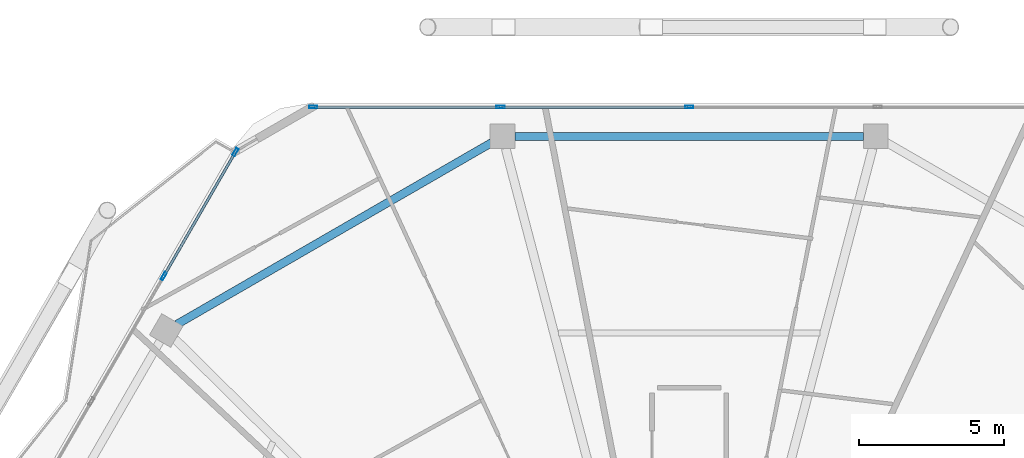
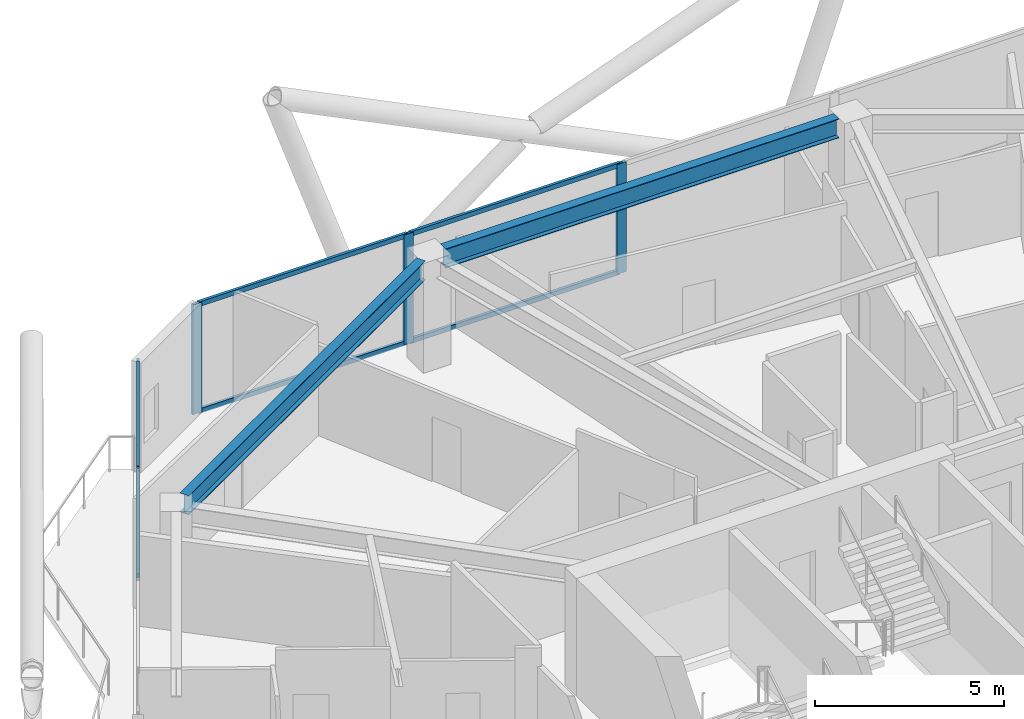
# One storey, part 15 of 29: 11 members, 2 beams, 2 elements without a shape of their own.
"""IFC4 building model written with IfcOpenShell, lengths in metres."""

from ifc_helpers import new_model, si_unit, direction, frame, origin, origin_2d, place, context, subcontext, project, spatial, hollow_rectangle, i_section, extrude, material, material_profile, profile_set, type_object, element, aggregate, save


model = new_model("IFC4")

# Units and contexts
model_context = context("Model", 3, precision=1e-05, world=origin(), true_north=direction((0.0, 1.0)))
body_context = subcontext(model_context, "Body", "Model", "MODEL_VIEW")
ifc_project = project(units=[si_unit("LENGTHUNIT", "METRE"), si_unit("AREAUNIT", "SQUARE_METRE"), si_unit("VOLUMEUNIT", "CUBIC_METRE"), si_unit("PLANEANGLEUNIT", "RADIAN"), si_unit("MASSUNIT", "GRAM", prefix="KILO")], contexts=[model_context])

# Site, building, storey
site_placement = place(None, origin())
site = spatial("IfcSite", under=ifc_project, at=site_placement, CompositionType="ELEMENT")
building_placement = place(site_placement, origin())
building = spatial("IfcBuilding", under=site, at=building_placement, Name="Zuhravey Tower", CompositionType="ELEMENT")
storey_placement = place(building_placement, frame((0.0, 0.0, 269.199951171875)))
storey = spatial("IfcBuildingStorey", under=building, at=storey_placement, Name="L68", CompositionType="ELEMENT", Elevation=269.199951171875)

# Curtain wall, members
ifc_material_1 = material(Name="Thermally broken anodised aluminium", Category="aluminium")
curtain_wall_type = type_object("IfcCurtainWallType", Name="Zone 3-4 High-Rise Curtain Wall CW4", PredefinedType="NOTDEFINED", material=ifc_material_1)
curtain_wall_1_placement = place(storey_placement, origin())
curtain_wall_1 = element("IfcCurtainWall", 1, at=curtain_wall_1_placement, inside=storey, type_object=curtain_wall_type, Name="L68 CW4 CW-L68-F3-2", PredefinedType="NOTDEFINED")
ifc_material_2 = material(Name="Anodised aluminium", Category="aluminium")
ifc_material_profile_1 = material_profile(ifc_material_2, hollow_rectangle(XDim=0.090087890625, YDim=0.284912109375, WallThickness=0.0048828125, at=origin_2d()), Name="ALU-RHS-90x285x5")
ifc_profile_set_1 = profile_set([ifc_material_profile_1], Name="Anodised aluminium")
member_type_1 = type_object("IfcMemberType", Name="Curtain-Wall Mullion 90x180", PredefinedType="MULLION", material=ifc_profile_set_1)
member_1_placement = place(storey_placement, frame((17.8720703125, 51.728515625, 0.0), z_axis=(0.0, 0.0, 1.0), x_axis=(-0.866025550855, 0.499999745267, 0.0)))
member_1 = element("IfcMember", 2, at=member_1_placement, type_object=member_type_1, Name="CW4 mullion 3", PredefinedType="MULLION", context=body_context, shape_type="SweptSolid", body=[
    extrude(hollow_rectangle(XDim=0.090087890625, YDim=0.284912109375, WallThickness=0.0048828125, at=origin_2d()), origin(), (0.0, 0.0, 1.0), 3.550048828125),
])
member_2_placement = place(storey_placement, frame((20.34521484375, 56.01220703125, 0.0), z_axis=(0.0, 0.0, 1.0), x_axis=(-0.866025550855, 0.499999745267, 0.0)))
member_2 = element("IfcMember", 3, at=member_2_placement, type_object=member_type_1, Name="CW4 mullion 4", PredefinedType="MULLION", context=body_context, shape_type="SweptSolid", body=[
    extrude(hollow_rectangle(XDim=0.090087890625, YDim=0.284912109375, WallThickness=0.0048828125, at=origin_2d()), origin(), (0.0, 0.0, 1.0), 3.550048828125),
])

curtain_wall_2_placement = place(storey_placement, origin())
curtain_wall_2 = element("IfcCurtainWall", 4, at=curtain_wall_2_placement, inside=storey, type_object=curtain_wall_type, Name="L68 CW4 CW-L68-F2-1", PredefinedType="NOTDEFINED")
member_3_placement = place(storey_placement, frame((23.0322265625, 57.563720703125, 0.0), z_axis=(0.0, 0.0, 1.0), x_axis=(0.0, 1.0, 0.0)))
member_3 = element("IfcMember", 5, at=member_3_placement, type_object=member_type_1, Name="CW4 mullion 1", PredefinedType="MULLION", context=body_context, shape_type="SweptSolid", body=[
    extrude(hollow_rectangle(XDim=0.090087890625, YDim=0.284912109375, WallThickness=0.0048828125, at=origin_2d()), origin(), (0.0, 0.0, 1.0), 3.550048828125),
])
member_4_placement = place(storey_placement, frame((29.49365234375, 57.563720703125, 0.0), z_axis=(0.0, 0.0, 1.0), x_axis=(0.0, 1.0, 0.0)))
member_4 = element("IfcMember", 6, at=member_4_placement, type_object=member_type_1, Name="CW4 mullion 2", PredefinedType="MULLION", context=body_context, shape_type="SweptSolid", body=[
    extrude(hollow_rectangle(XDim=0.090087890625, YDim=0.284912109375, WallThickness=0.0048828125, at=origin_2d()), origin(), (0.0, 0.0, 1.0), 3.550048828125),
])
member_5_placement = place(storey_placement, frame((36.0, 57.563720703125, 0.0), z_axis=(0.0, 0.0, 1.0), x_axis=(0.0, 1.0, 0.0)))
member_5 = element("IfcMember", 7, at=member_5_placement, type_object=member_type_1, Name="CW4 mullion 3", PredefinedType="MULLION", context=body_context, shape_type="SweptSolid", body=[
    extrude(hollow_rectangle(XDim=0.090087890625, YDim=0.284912109375, WallThickness=0.0048828125, at=origin_2d()), origin(), (0.0, 0.0, 1.0), 3.550048828125),
])

# Member
ifc_material_profile_2 = material_profile(ifc_material_2, hollow_rectangle(XDim=0.090087890625, YDim=0.14990234375, WallThickness=0.0048828125, at=origin_2d()), Name="ALU-RHS-90x150x5")
ifc_profile_set_2 = profile_set([ifc_material_profile_2], Name="Anodised aluminium")
member_type_2 = type_object("IfcMemberType", Name="Curtain-Wall Transom 90x150", PredefinedType="USERDEFINED", material=ifc_profile_set_2)
member_6_placement = place(storey_placement, frame((17.89453125, 51.767578125, 0.045166015625), z_axis=(0.499983569942, 0.866034889475, 0.0), x_axis=(-0.866034889475, 0.499983569942, 0.0)))
member_6 = element("IfcMember", 8, at=member_6_placement, type_object=member_type_2, Name="CW4 transom 3.1", ObjectType="TRANSOM", PredefinedType="USERDEFINED", context=body_context, shape_type="SweptSolid", body=[
    extrude(hollow_rectangle(XDim=0.090087890625, YDim=0.14990234375, WallThickness=0.0048828125, at=origin_2d()), origin(), (0.0, 0.0, 1.0), 4.856201171875),
])

member_7_placement = place(storey_placement, frame((17.89453125, 51.767578125, 3.505126953125), z_axis=(0.499983569942, 0.866034889475, 0.0), x_axis=(-0.866034889475, 0.499983569942, 0.0)))
member_7 = element("IfcMember", 9, at=member_7_placement, type_object=member_type_2, Name="CW4 transom 3.2", ObjectType="TRANSOM", PredefinedType="USERDEFINED", context=body_context, shape_type="SweptSolid", body=[
    extrude(hollow_rectangle(XDim=0.090087890625, YDim=0.14990234375, WallThickness=0.0048828125, at=origin_2d()), origin(), (0.0, 0.0, 1.0), 4.856201171875),
])

aggregate(curtain_wall_1, [member_1, member_2, member_6, member_7])

member_8_placement = place(storey_placement, frame((23.077392578125, 57.563720703125, 0.045166015625), z_axis=(1.0, 0.0, 0.0), x_axis=(0.0, 1.0, 0.0)))
member_8 = element("IfcMember", 10, at=member_8_placement, type_object=member_type_2, Name="CW4 transom 1.1", ObjectType="TRANSOM", PredefinedType="USERDEFINED", context=body_context, shape_type="SweptSolid", body=[
    extrude(hollow_rectangle(XDim=0.090087890625, YDim=0.14990234375, WallThickness=0.0048828125, at=origin_2d()), origin(), (0.0, 0.0, 1.0), 6.371337890625),
])

member_9_placement = place(storey_placement, frame((23.077392578125, 57.563720703125, 3.505126953125), z_axis=(1.0, 0.0, 0.0), x_axis=(0.0, 1.0, 0.0)))
member_9 = element("IfcMember", 11, at=member_9_placement, type_object=member_type_2, Name="CW4 transom 1.2", ObjectType="TRANSOM", PredefinedType="USERDEFINED", context=body_context, shape_type="SweptSolid", body=[
    extrude(hollow_rectangle(XDim=0.090087890625, YDim=0.14990234375, WallThickness=0.0048828125, at=origin_2d()), origin(), (0.0, 0.0, 1.0), 6.371337890625),
])

member_10_placement = place(storey_placement, frame((29.53857421875, 57.563720703125, 0.045166015625), z_axis=(1.0, 0.0, 0.0), x_axis=(0.0, 1.0, 0.0)))
member_10 = element("IfcMember", 12, at=member_10_placement, type_object=member_type_2, Name="CW4 transom 2.1", ObjectType="TRANSOM", PredefinedType="USERDEFINED", context=body_context, shape_type="SweptSolid", body=[
    extrude(hollow_rectangle(XDim=0.090087890625, YDim=0.14990234375, WallThickness=0.0048828125, at=origin_2d()), origin(), (0.0, 0.0, 1.0), 6.41650390625),
])

member_11_placement = place(storey_placement, frame((29.53857421875, 57.563720703125, 3.505126953125), z_axis=(1.0, 0.0, 0.0), x_axis=(0.0, 1.0, 0.0)))
member_11 = element("IfcMember", 13, at=member_11_placement, type_object=member_type_2, Name="CW4 transom 2.2", ObjectType="TRANSOM", PredefinedType="USERDEFINED", context=body_context, shape_type="SweptSolid", body=[
    extrude(hollow_rectangle(XDim=0.090087890625, YDim=0.14990234375, WallThickness=0.0048828125, at=origin_2d()), origin(), (0.0, 0.0, 1.0), 6.41650390625),
])

aggregate(curtain_wall_2, [member_3, member_4, member_5, member_8, member_9, member_10, member_11])

# Beams
ifc_material_3 = material(Name="Steel SM355", Category="steel")
ifc_material_profile_3 = material_profile(ifc_material_3, i_section(OverallWidth=0.280029296875, OverallDepth=0.6201171875, WebThickness=0.011962890625, FlangeThickness=0.02001953125, at=origin_2d()), Name="H-620x280x12x20")
ifc_profile_set_3 = profile_set([ifc_material_profile_3], Name="Steel SM355")
beam_type = type_object("IfcBeamType", Name="Perimeter Ring Beam H620x280", PredefinedType="BEAM", material=ifc_profile_set_3)
beam_1_placement = place(storey_placement, frame((42.012939453125, 56.5537109375, 3.239990234375), z_axis=(-1.0, 0.0, 0.0), x_axis=(0.0, -1.0, 0.0)))
element("IfcBeam", 14, at=beam_1_placement, inside=storey, type_object=beam_type, Name="L68 PB3 BM-L68-PB-03", PredefinedType="BEAM", context=body_context, shape_type="SweptSolid", body=[
    extrude(i_section(OverallWidth=0.280029296875, OverallDepth=0.6201171875, WebThickness=0.011962890625, FlangeThickness=0.02001953125, at=origin_2d()), origin(), (0.0, 0.0, 1.0), 12.02587890625),
])
beam_2_placement = place(storey_placement, frame((29.1884765625, 56.339599609375, 3.239990234375), z_axis=(-0.866018312875, -0.500012281615, 0.0), x_axis=(0.500012281615, -0.866018312875, 0.0)))
element("IfcBeam", 15, at=beam_2_placement, inside=storey, type_object=beam_type, Name="L68 PB3 BM-L68-PB-04", PredefinedType="BEAM", context=body_context, shape_type="SweptSolid", body=[
    extrude(i_section(OverallWidth=0.280029296875, OverallDepth=0.6201171875, WebThickness=0.011962890625, FlangeThickness=0.02001953125, at=origin_2d()), origin(), (0.0, 0.0, 1.0), 12.541748046875),
])

save(model, "model.ifc")
